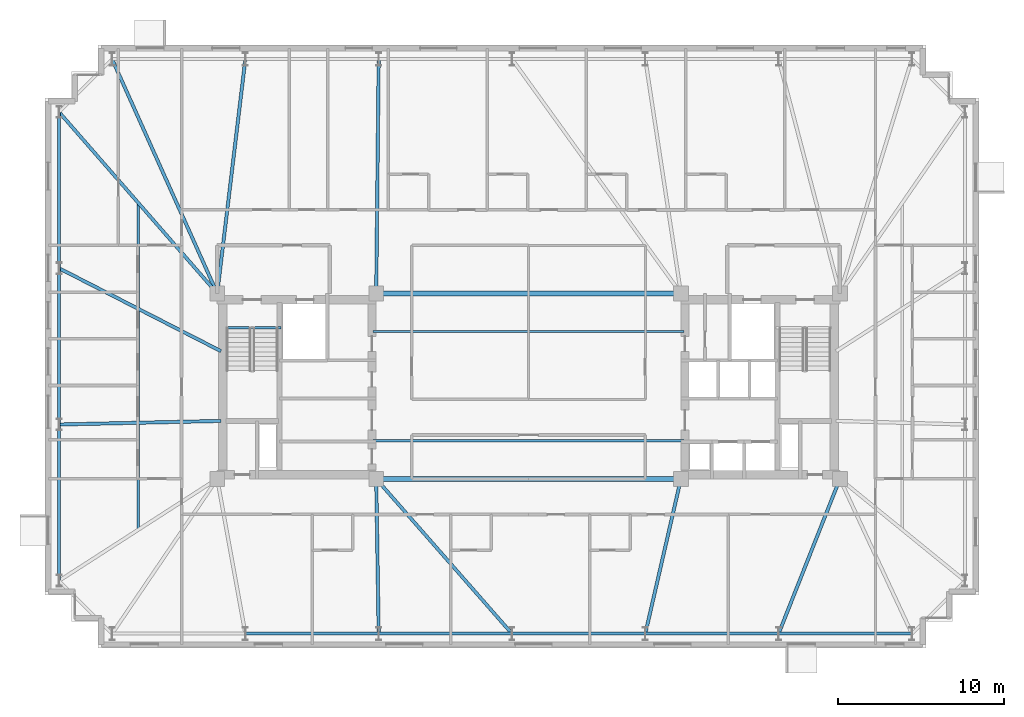
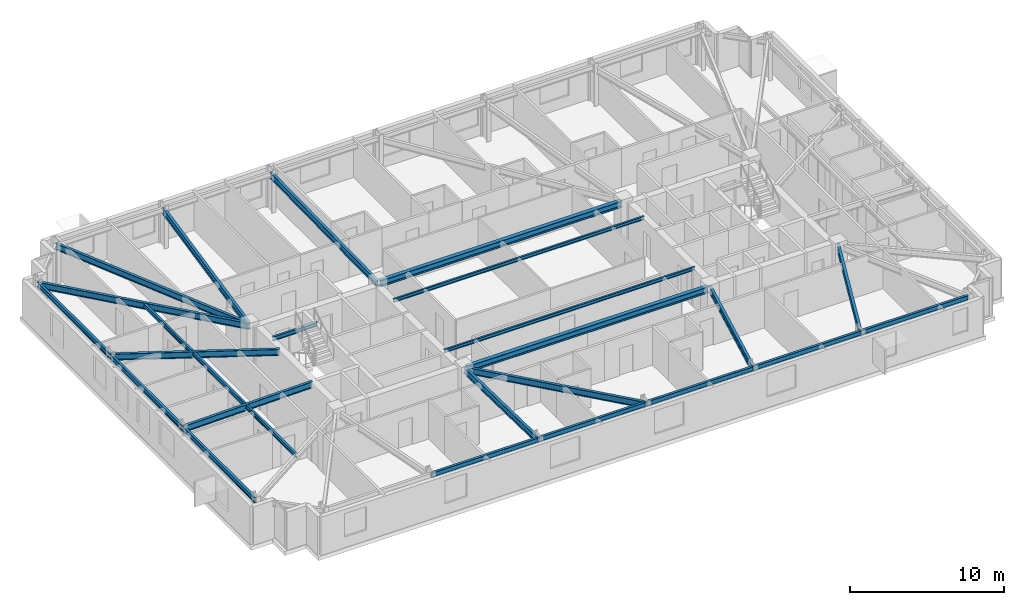
# One storey, part 4 of 18: 24 beams.
"""IFC4 building model written with IfcOpenShell, lengths in metres."""

from ifc_helpers import new_model, si_unit, direction, frame, origin, origin_2d, place, context, subcontext, project, spatial, i_section, extrude, material, material_profile, profile_set, type_object, element, save


model = new_model("IFC4")

# Units and contexts
model_context = context("Model", 3, precision=1e-05, world=origin(), true_north=direction((0.0, 1.0)))
body_context = subcontext(model_context, "Body", "Model", "MODEL_VIEW")
ifc_project = project(units=[si_unit("LENGTHUNIT", "METRE"), si_unit("AREAUNIT", "SQUARE_METRE"), si_unit("VOLUMEUNIT", "CUBIC_METRE"), si_unit("PLANEANGLEUNIT", "RADIAN"), si_unit("MASSUNIT", "GRAM", prefix="KILO")], contexts=[model_context])

# Site, building, storey
site_placement = place(None, origin())
site = spatial("IfcSite", under=ifc_project, at=site_placement, CompositionType="ELEMENT")
building_placement = place(site_placement, origin())
building = spatial("IfcBuilding", under=site, at=building_placement, Name="Qobustan Lattice House", CompositionType="ELEMENT")
storey_placement = place(building_placement, frame((0.0, 0.0, 141.050048828125)))
storey = spatial("IfcBuildingStorey", under=building, at=storey_placement, Name="L39", CompositionType="ELEMENT", Elevation=141.050048828125)

# Beams
ifc_material_1 = material(Name="Steel S355", Category="steel")
ifc_material_profile_1 = material_profile(ifc_material_1, i_section(OverallWidth=0.300048828125, OverallDepth=0.5, WebThickness=0.014404296875, FlangeThickness=0.028076171875, FilletRadius=0.027099609375, at=origin_2d()), Name="HEB500")
ifc_profile_set_1 = profile_set([ifc_material_profile_1], Name="Steel S355")
beam_type_1 = type_object("IfcBeamType", Name="BM-CG-HEB500", PredefinedType="USERDEFINED", material=ifc_profile_set_1)
for number, where, z_axis, x_axis, name in (
    (1, (-9.050048828125, -5.60009765625, 2.7900390625), (1.0, 0.0, 0.0), (0.0, 1.0, 0.0), "L39 core spine girder CG-CS"),
    (2, (-9.050048828125, 5.60009765625, 2.7900390625), (1.0, 0.0, 0.0), (0.0, 1.0, 0.0), "L39 core spine girder CG-CN"),
):
    element("IfcBeam", number, at=place(storey_placement, frame(where, z_axis=z_axis, x_axis=x_axis)), inside=storey, type_object=beam_type_1, Name=name, ObjectType="GIRDER", PredefinedType="USERDEFINED", context=body_context, shape_type="SweptSolid", body=[
        extrude(i_section(OverallWidth=0.300048828125, OverallDepth=0.5, WebThickness=0.014404296875, FlangeThickness=0.028076171875, FilletRadius=0.027099609375, at=origin_2d()), origin(), (0.0, 0.0, 1.0), 18.10009765625),
    ])
ifc_material_2 = material(Name="Steel S355", Category="steel")
ifc_material_profile_2 = material_profile(ifc_material_2, i_section(OverallWidth=0.199951171875, OverallDepth=0.5, WebThickness=0.01025390625, FlangeThickness=0.01611328125, FilletRadius=0.02099609375, at=origin_2d()), Name="IPE500")
ifc_profile_set_2 = profile_set([ifc_material_profile_2], Name="Steel S355")
beam_type_2 = type_object("IfcBeamType", Name="BM-FLG-IPE500", PredefinedType="USERDEFINED", material=ifc_profile_set_2)
beam_1_placement = place(storey_placement, frame((-9.05029296875, -14.925048828125, 2.7900390625), z_axis=(-0.016063870849, 0.999870967702, 0.0), x_axis=(-0.999870967702, -0.016063870849, 0.0)))
element("IfcBeam", 3, at=beam_1_placement, inside=storey, type_object=beam_type_2, Name="L39 primary floor girder RAD-S3", ObjectType="GIRDER", PredefinedType="USERDEFINED", context=body_context, shape_type="SweptSolid", body=[
    extrude(i_section(OverallWidth=0.199951171875, OverallDepth=0.5, WebThickness=0.01025390625, FlangeThickness=0.01611328125, FilletRadius=0.02099609375, at=origin_2d()), origin(), (0.0, 0.0, 1.0), 9.30126953125),
])
beam_2_placement = place(storey_placement, frame((-1.0166015625, -14.93115234375, 2.7900390625), z_axis=(-0.659362380156, 0.751825279992, 0.0), x_axis=(-0.751825279992, -0.659362380156, 0.0)))
element("IfcBeam", 4, at=beam_2_placement, inside=storey, type_object=beam_type_2, Name="L39 primary floor girder RAD-S4", ObjectType="GIRDER", PredefinedType="USERDEFINED", context=body_context, shape_type="SweptSolid", body=[
    extrude(i_section(OverallWidth=0.199951171875, OverallDepth=0.5, WebThickness=0.01025390625, FlangeThickness=0.01611328125, FilletRadius=0.02099609375, at=origin_2d()), origin(), (0.0, 0.0, 1.0), 12.38623046875),
])
beam_3_placement = place(storey_placement, frame((7.0556640625, -14.925537109375, 2.7900390625), z_axis=(0.224091568854, 0.974568093449, 0.0), x_axis=(-0.974568093449, 0.224091568854, 0.0)))
element("IfcBeam", 5, at=beam_3_placement, inside=storey, type_object=beam_type_2, Name="L39 primary floor girder RAD-S5", ObjectType="GIRDER", PredefinedType="USERDEFINED", context=body_context, shape_type="SweptSolid", body=[
    extrude(i_section(OverallWidth=0.199951171875, OverallDepth=0.5, WebThickness=0.01025390625, FlangeThickness=0.01611328125, FilletRadius=0.02099609375, at=origin_2d()), origin(), (0.0, 0.0, 1.0), 9.543701171875),
])
beam_4_placement = place(storey_placement, frame((15.109130859375, -14.9267578125, 2.7900390625), z_axis=(0.367963628184, 0.929840184297, 0.0), x_axis=(-0.929840184297, 0.367963628184, 0.0)))
element("IfcBeam", 6, at=beam_4_placement, inside=storey, type_object=beam_type_2, Name="L39 primary floor girder RAD-S6", ObjectType="GIRDER", PredefinedType="USERDEFINED", context=body_context, shape_type="SweptSolid", body=[
    extrude(i_section(OverallWidth=0.199951171875, OverallDepth=0.5, WebThickness=0.01025390625, FlangeThickness=0.01611328125, FilletRadius=0.02099609375, at=origin_2d()), origin(), (0.0, 0.0, 1.0), 10.00537109375),
])
beam_5_placement = place(storey_placement, frame((-25.139892578125, 19.727294921875, 2.7900390625), z_axis=(0.409426782108, -0.912342978321, 0.0), x_axis=(0.912342978321, 0.409426782108, 0.0)))
element("IfcBeam", 7, at=beam_5_placement, inside=storey, type_object=beam_type_2, Name="L39 primary floor girder RAD-N7W", ObjectType="GIRDER", PredefinedType="USERDEFINED", context=body_context, shape_type="SweptSolid", body=[
    extrude(i_section(OverallWidth=0.199951171875, OverallDepth=0.5, WebThickness=0.01025390625, FlangeThickness=0.01611328125, FilletRadius=0.02099609375, at=origin_2d()), origin(), (0.0, 0.0, 1.0), 15.459716796875),
])
beam_6_placement = place(storey_placement, frame((-17.10302734375, 19.72509765625, 2.7900390625), z_axis=(-0.119287572963, -0.992859745854, 0.0), x_axis=(0.992859745854, -0.119287572963, 0.0)))
element("IfcBeam", 8, at=beam_6_placement, inside=storey, type_object=beam_type_2, Name="L39 primary floor girder RAD-N6", ObjectType="GIRDER", PredefinedType="USERDEFINED", context=body_context, shape_type="SweptSolid", body=[
    extrude(i_section(OverallWidth=0.199951171875, OverallDepth=0.5, WebThickness=0.01025390625, FlangeThickness=0.01611328125, FilletRadius=0.02099609375, at=origin_2d()), origin(), (0.0, 0.0, 1.0), 14.20166015625),
])
beam_7_placement = place(storey_placement, frame((-9.05029296875, 19.72509765625, 2.7900390625), z_axis=(-0.010596073732, -0.999943860035, 0.0), x_axis=(0.999943860035, -0.010596073732, 0.0)))
element("IfcBeam", 9, at=beam_7_placement, inside=storey, type_object=beam_type_2, Name="L39 primary floor girder RAD-N5", ObjectType="GIRDER", PredefinedType="USERDEFINED", context=body_context, shape_type="SweptSolid", body=[
    extrude(i_section(OverallWidth=0.199951171875, OverallDepth=0.5, WebThickness=0.01025390625, FlangeThickness=0.01611328125, FilletRadius=0.02099609375, at=origin_2d()), origin(), (0.0, 0.0, 1.0), 14.100830078125),
])
beam_8_placement = place(storey_placement, frame((-28.33349609375, 16.53125, 2.7900390625), z_axis=(0.657282573618, -0.75364422536, 0.0), x_axis=(0.75364422536, 0.657282573618, 0.0)))
element("IfcBeam", 10, at=beam_8_placement, inside=storey, type_object=beam_type_2, Name="L39 primary floor girder RAD-W1", ObjectType="GIRDER", PredefinedType="USERDEFINED", context=body_context, shape_type="SweptSolid", body=[
    extrude(i_section(OverallWidth=0.199951171875, OverallDepth=0.5, WebThickness=0.01025390625, FlangeThickness=0.01611328125, FilletRadius=0.02099609375, at=origin_2d()), origin(), (0.0, 0.0, 1.0), 14.4794921875),
])
beam_9_placement = place(storey_placement, frame((-28.32763671875, 7.105224609375, 2.7900390625), z_axis=(0.89014541584, -0.455676572426, 0.0), x_axis=(0.455676572426, 0.89014541584, 0.0)))
element("IfcBeam", 11, at=beam_9_placement, inside=storey, type_object=beam_type_2, Name="L39 primary floor girder RAD-W2", ObjectType="GIRDER", PredefinedType="USERDEFINED", context=body_context, shape_type="SweptSolid", body=[
    extrude(i_section(OverallWidth=0.199951171875, OverallDepth=0.5, WebThickness=0.01025390625, FlangeThickness=0.01611328125, FilletRadius=0.02099609375, at=origin_2d()), origin(), (0.0, 0.0, 1.0), 10.959228515625),
])
beam_10_placement = place(storey_placement, frame((-28.324951171875, -2.316162109375, 2.7900390625), z_axis=(0.999755655209, 0.022104974047, 0.0), x_axis=(-0.022104974047, 0.999755655209, 0.0)))
element("IfcBeam", 12, at=beam_10_placement, inside=storey, type_object=beam_type_2, Name="L39 primary floor girder RAD-W3", ObjectType="GIRDER", PredefinedType="USERDEFINED", context=body_context, shape_type="SweptSolid", body=[
    extrude(i_section(OverallWidth=0.199951171875, OverallDepth=0.5, WebThickness=0.01025390625, FlangeThickness=0.01611328125, FilletRadius=0.02099609375, at=origin_2d()), origin(), (0.0, 0.0, 1.0), 9.75244140625),
])
ifc_material_3 = material(Name="Steel S355", Category="steel")
ifc_material_profile_3 = material_profile(ifc_material_3, i_section(OverallWidth=0.135009765625, OverallDepth=0.27001953125, WebThickness=0.006591796875, FlangeThickness=0.01025390625, FilletRadius=0.014892578125, at=origin_2d()), Name="IPE270")
ifc_profile_set_3 = profile_set([ifc_material_profile_3], Name="Steel S355")
beam_type_3 = type_object("IfcBeamType", Name="BM-JST-IPE270", PredefinedType="JOIST", material=ifc_profile_set_3)
for number, where, z_axis, x_axis, name in (
    (13, (-9.39990234375, -3.300048828125, 2.905029296875), (1.0, 0.0, 0.0), (0.0, 1.0, 0.0), "L39 central span floor joist 1"),
    (14, (-9.39990234375, 3.300048828125, 2.905029296875), (1.0, 0.0, 0.0), (0.0, 1.0, 0.0), "L39 central span floor joist 2"),
):
    element("IfcBeam", number, at=place(storey_placement, frame(where, z_axis=z_axis, x_axis=x_axis)), inside=storey, type_object=beam_type_3, Name=name, PredefinedType="JOIST", context=body_context, shape_type="SweptSolid", body=[
        extrude(i_section(OverallWidth=0.135009765625, OverallDepth=0.27001953125, WebThickness=0.006591796875, FlangeThickness=0.01025390625, FilletRadius=0.014892578125, at=origin_2d()), origin(), (0.0, 0.0, 1.0), 18.7998046875),
    ])
ifc_material_4 = material(Name="Steel S355", Category="steel")
ifc_material_profile_4 = material_profile(ifc_material_4, i_section(OverallWidth=0.159912109375, OverallDepth=0.330078125, WebThickness=0.007568359375, FlangeThickness=0.011474609375, FilletRadius=0.01806640625, at=origin_2d()), Name="IPE330")
ifc_profile_set_4 = profile_set([ifc_material_profile_4], Name="Steel S355")
beam_type_4 = type_object("IfcBeamType", Name="BM-SEC-IPE330", PredefinedType="BEAM", material=ifc_profile_set_4)
beam_11_placement = place(storey_placement, frame((-23.574951171875, 11.074951171875, 2.875), z_axis=(0.0, -1.0, 0.0), x_axis=(1.0, 0.0, 0.0)))
element("IfcBeam", 15, at=beam_11_placement, inside=storey, type_object=beam_type_4, Name="L39 west wing secondary beam", PredefinedType="BEAM", context=body_context, shape_type="SweptSolid", body=[
    extrude(i_section(OverallWidth=0.159912109375, OverallDepth=0.330078125, WebThickness=0.007568359375, FlangeThickness=0.011474609375, FilletRadius=0.01806640625, at=origin_2d()), origin(), (0.0, 0.0, 1.0), 19.75),
])
ifc_material_5 = material(Name="Steel S355", Category="steel")
ifc_material_profile_5 = material_profile(ifc_material_5, i_section(OverallWidth=0.159912109375, OverallDepth=0.330078125, WebThickness=0.007568359375, FlangeThickness=0.011474609375, FilletRadius=0.01806640625, at=origin_2d()), Name="IPE330")
ifc_profile_set_5 = profile_set([ifc_material_profile_5], Name="Steel S355")
beam_type_5 = type_object("IfcBeamType", Name="BM-SPD-IPE330", PredefinedType="SPANDREL", material=ifc_profile_set_5)
beam_12_placement = place(storey_placement, frame((-18.300048828125, 3.52001953125, 2.875), z_axis=(1.0, 0.0, 0.0), x_axis=(0.0, 1.0, 0.0)))
element("IfcBeam", 16, at=beam_12_placement, inside=storey, type_object=beam_type_5, Name="L39 west stair landing trimmer beam", PredefinedType="SPANDREL", context=body_context, shape_type="SweptSolid", body=[
    extrude(i_section(OverallWidth=0.159912109375, OverallDepth=0.330078125, WebThickness=0.007568359375, FlangeThickness=0.011474609375, FilletRadius=0.01806640625, at=origin_2d()), origin(), (0.0, 0.0, 1.0), 3.35009765625),
])
ifc_material_6 = material(Name="Steel S355", Category="steel")
ifc_material_profile_6 = material_profile(ifc_material_6, i_section(OverallWidth=0.179931640625, OverallDepth=0.39990234375, WebThickness=0.008544921875, FlangeThickness=0.013427734375, FilletRadius=0.02099609375, at=origin_2d()), Name="IPE400")
ifc_profile_set_6 = profile_set([ifc_material_profile_6], Name="Steel S355")
beam_type_6 = type_object("IfcBeamType", Name="BM-SPD-IPE400", PredefinedType="SPANDREL", material=ifc_profile_set_6)
for number, where, z_axis, x_axis, name in (
    (17, (-17.074951171875, -14.949951171875, 2.83984375), (1.0, 0.0, 0.0), (0.0, 1.0, 0.0), "L39 perimeter spandrel S2-S3"),
    (18, (-9.02490234375, -14.949951171875, 2.83984375), (1.0, 0.0, 0.0), (0.0, 1.0, 0.0), "L39 perimeter spandrel S3-S4"),
    (19, (-0.97509765625, -14.949951171875, 2.83984375), (1.0, 0.0, 0.0), (0.0, 1.0, 0.0), "L39 perimeter spandrel S4-S5"),
    (20, (7.074951171875, -14.949951171875, 2.83984375), (1.0, 0.0, 0.0), (0.0, 1.0, 0.0), "L39 perimeter spandrel S5-S6"),
    (21, (15.125, -14.949951171875, 2.83984375), (1.0, 0.0, 0.0), (0.0, 1.0, 0.0), "L39 perimeter spandrel S6-S7"),
):
    element("IfcBeam", number, at=place(storey_placement, frame(where, z_axis=z_axis, x_axis=x_axis)), inside=storey, type_object=beam_type_6, Name=name, PredefinedType="SPANDREL", context=body_context, shape_type="SweptSolid", body=[
        extrude(i_section(OverallWidth=0.179931640625, OverallDepth=0.39990234375, WebThickness=0.008544921875, FlangeThickness=0.013427734375, FilletRadius=0.02099609375, at=origin_2d()), origin(), (0.0, 0.0, 1.0), 8.0),
    ])
beam_13_placement = place(storey_placement, frame((-28.35009765625, 16.52490234375, 2.83984375), z_axis=(0.0, -1.0, 0.0), x_axis=(1.0, 0.0, 0.0)))
element("IfcBeam", 22, at=beam_13_placement, inside=storey, type_object=beam_type_6, Name="L39 perimeter spandrel W1-W2", PredefinedType="SPANDREL", context=body_context, shape_type="SweptSolid", body=[
    extrude(i_section(OverallWidth=0.179931640625, OverallDepth=0.39990234375, WebThickness=0.008544921875, FlangeThickness=0.013427734375, FilletRadius=0.02099609375, at=origin_2d()), origin(), (0.0, 0.0, 1.0), 9.38330078125),
])
beam_14_placement = place(storey_placement, frame((-28.35009765625, 7.091796875, 2.83984375), z_axis=(0.0, -1.0, 0.0), x_axis=(1.0, 0.0, 0.0)))
element("IfcBeam", 23, at=beam_14_placement, inside=storey, type_object=beam_type_6, Name="L39 perimeter spandrel W2-W3", PredefinedType="SPANDREL", context=body_context, shape_type="SweptSolid", body=[
    extrude(i_section(OverallWidth=0.179931640625, OverallDepth=0.39990234375, WebThickness=0.008544921875, FlangeThickness=0.013427734375, FilletRadius=0.02099609375, at=origin_2d()), origin(), (0.0, 0.0, 1.0), 9.383544921875),
])
beam_15_placement = place(storey_placement, frame((-28.35009765625, -2.341796875, 2.83984375), z_axis=(0.0, -1.0, 0.0), x_axis=(1.0, 0.0, 0.0)))
element("IfcBeam", 24, at=beam_15_placement, inside=storey, type_object=beam_type_6, Name="L39 perimeter spandrel W3-W4", PredefinedType="SPANDREL", context=body_context, shape_type="SweptSolid", body=[
    extrude(i_section(OverallWidth=0.179931640625, OverallDepth=0.39990234375, WebThickness=0.008544921875, FlangeThickness=0.013427734375, FilletRadius=0.02099609375, at=origin_2d()), origin(), (0.0, 0.0, 1.0), 9.38330078125),
])

save(model, "model.ifc")
